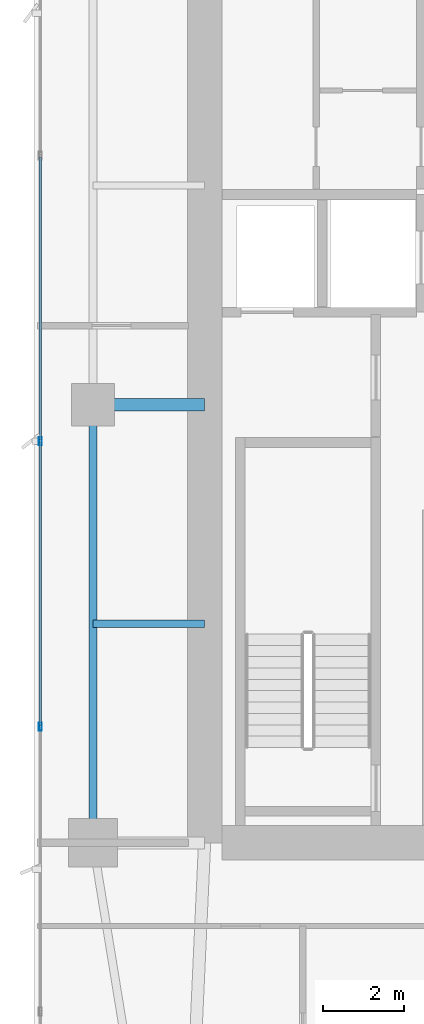
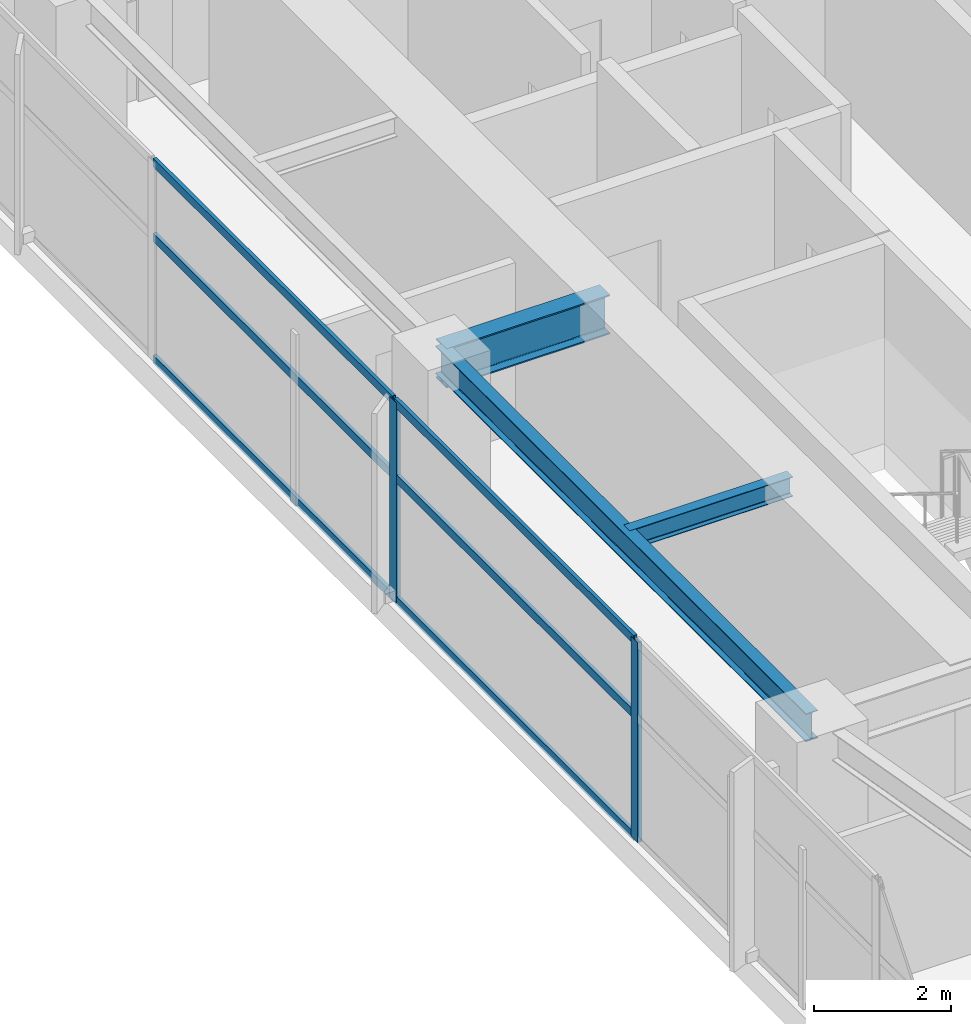
# One storey, part 8 of 28: 8 members, 3 beams, 1 element without a shape of its own.
"""IFC4 building model written with IfcOpenShell, lengths in metres."""

import ifcopenshell
import ifcopenshell.guid

model = None  # the IFC model being written
_history = None  # IfcOwnerHistory: only IFC2X3 demands one
_inside = {}  # id of a spatial element -> (the spatial element, [elements in it])
_under = {}  # id of a project, library or spatial element -> (it, [spatial elements below it])
_declared = {}  # id of a project -> (the project, [libraries it declares])
_typed = {}  # id of a type object -> (the type object, [elements of that type])
_made_of = {}  # id of a material, layer set ... -> (it, [elements and type objects made of it])


def new_model(schema):
    """Start an empty IFC model of exactly this schema.

    Asked for "IFC4X3", IfcOpenShell would pick the latest addendum, in which some entities
    have other attributes; the version numbers below select the first issue.
    IFC2X3 requires an IfcOwnerHistory on every rooted entity: one is made here for all.
    """
    global model, _history
    if schema == "IFC4X3":
        model = ifcopenshell.file(schema_version=(4, 3, 0, 0))
    else:
        model = ifcopenshell.file(schema=schema)
    _inside.clear()
    _under.clear()
    _declared.clear()
    _typed.clear()
    _made_of.clear()
    _history = None
    if model.schema == "IFC2X3":
        org = make("IfcOrganization", Name="unknown")
        user = make(
            "IfcPersonAndOrganization",
            ThePerson=make("IfcPerson", FamilyName="unknown"),
            TheOrganization=org,
        )
        app = make(
            "IfcApplication",
            ApplicationDeveloper=org,
            Version="unknown",
            ApplicationFullName="unknown",
            ApplicationIdentifier="unknown",
        )
        _history = make(
            "IfcOwnerHistory",
            OwningUser=user,
            OwningApplication=app,
            ChangeAction="ADDED",
            CreationDate=0,
        )
    return model


def make(cls, **values):
    """One entity of the class cls with the attributes given. An attribute that is None is left unset."""
    return model.create_entity(
        cls, **{name: value for name, value in values.items() if value is not None}
    )


def rooted(cls, **values):
    """An entity with a GlobalId (a new one), such as an element, a storey or a relation."""
    return make(cls, GlobalId=ifcopenshell.guid.new(), OwnerHistory=_history, **values)


def si_unit(unit_type, name, prefix=None):
    """IfcSIUnit, for example si_unit("LENGTHUNIT", "METRE", prefix="MILLI")."""
    return make("IfcSIUnit", UnitType=unit_type, Prefix=prefix, Name=name)


def assignment(units):
    """IfcUnitAssignment: the units of a project."""
    return None if units is None else make("IfcUnitAssignment", Units=units)


def point(xyz):
    """IfcCartesianPoint."""
    return None if xyz is None else make("IfcCartesianPoint", Coordinates=xyz)


def direction(xyz):
    """IfcDirection."""
    return None if xyz is None else make("IfcDirection", DirectionRatios=xyz)


def frame(location, z_axis=None, x_axis=None):
    """IfcAxis2Placement3D, a coordinate frame: its origin and axes. An axis left out is left unset."""
    return make(
        "IfcAxis2Placement3D",
        Location=point(location),
        Axis=direction(z_axis),
        RefDirection=direction(x_axis),
    )


def frame_2d(location, x_axis=None):
    """IfcAxis2Placement2D, a coordinate frame in the plane: its origin and x axis."""
    return make(
        "IfcAxis2Placement2D", Location=point(location), RefDirection=direction(x_axis)
    )


def origin():
    """The frame at (0, 0, 0) with its axes left unset."""
    return frame((0.0, 0.0, 0.0))


def origin_2d():
    """The frame at (0, 0) in the plane with its x axis left unset."""
    return frame_2d((0.0, 0.0))


def place(relative_to, where):
    """IfcLocalPlacement: puts the frame where relative to a parent placement (None: the world)."""
    return make(
        "IfcLocalPlacement", PlacementRelTo=relative_to, RelativePlacement=where
    )


def context(
    kind, dimensions, precision=None, world=None, true_north=None, identifier=None
):
    """IfcGeometricRepresentationContext, for example the 3D "Model" context."""
    return make(
        "IfcGeometricRepresentationContext",
        ContextIdentifier=identifier,
        ContextType=kind,
        CoordinateSpaceDimension=dimensions,
        Precision=precision,
        WorldCoordinateSystem=world,
        TrueNorth=true_north,
    )


def subcontext(parent, identifier, kind, view, scale=None):
    """IfcGeometricRepresentationSubContext, for example "Body" below "Model"."""
    return make(
        "IfcGeometricRepresentationSubContext",
        ContextIdentifier=identifier,
        ContextType=kind,
        ParentContext=parent,
        TargetScale=scale,
        TargetView=view,
    )


def project(units=None, contexts=None):
    """IfcProject with its units and contexts."""
    return rooted(
        "IfcProject",
        Name="project",
        RepresentationContexts=contexts,
        UnitsInContext=assignment(units),
    )


def spatial(cls, under=None, at=None, **own):
    """A site, building, storey or space (cls), placed at a placement, below another one or the project."""
    s = rooted(cls, ObjectPlacement=at, **own)
    if under is not None:
        _under.setdefault(under.id(), (under, []))[1].append(s)
    return s


def profile(cls, at=None, kind="AREA", **sizes):
    """A parametric profile (cls). Its sizes go by their IFC names, for example OverallWidth=200.0."""
    return make(cls, ProfileType=kind, Position=at, **sizes)


def hollow_rectangle(**sizes):
    """IfcRectangleHollowProfileDef."""
    return profile("IfcRectangleHollowProfileDef", **sizes)


def i_section(**sizes):
    """IfcIShapeProfileDef."""
    return profile("IfcIShapeProfileDef", **sizes)


def extrude(swept, where, along, depth):
    """IfcExtrudedAreaSolid: the profile swept, set in the frame where, extruded along a direction by depth."""
    return make(
        "IfcExtrudedAreaSolid",
        SweptArea=swept,
        Position=where,
        ExtrudedDirection=direction(along),
        Depth=depth,
    )


def shape(context_of_items, identifier, shape_type, items):
    """IfcShapeRepresentation: the items that make up one representation, for example the "Body"."""
    return make(
        "IfcShapeRepresentation",
        ContextOfItems=context_of_items,
        RepresentationIdentifier=identifier,
        RepresentationType=shape_type,
        Items=items,
    )


def material(Name=None, Category=None):
    """IfcMaterial."""
    return make("IfcMaterial", Name=Name, Category=Category)


def layer(
    of_material, thickness, ventilated=None, Name=None, Category=None, Priority=None
):
    """IfcMaterialLayer: one layer of a wall or slab, of a material (None: an air gap)."""
    return make(
        "IfcMaterialLayer",
        Material=of_material,
        LayerThickness=thickness,
        IsVentilated=ventilated,
        Name=Name,
        Category=Category,
        Priority=Priority,
    )


def layer_set(layers, Name=None):
    """IfcMaterialLayerSet."""
    return make("IfcMaterialLayerSet", MaterialLayers=layers, LayerSetName=Name)


def material_profile(
    of_material, cross_section, Name=None, Category=None, Priority=None
):
    """IfcMaterialProfile: a cross section and its material."""
    return make(
        "IfcMaterialProfile",
        Name=Name,
        Material=of_material,
        Profile=cross_section,
        Priority=Priority,
        Category=Category,
    )


def profile_set(profiles, Name=None, composite=None):
    """IfcMaterialProfileSet."""
    return make(
        "IfcMaterialProfileSet",
        Name=Name,
        MaterialProfiles=profiles,
        CompositeProfile=composite,
    )


def made_of(thing, what):
    """Note that an element or type object is made of a material, layer set ...; save() writes the relation."""
    if what is not None:
        _made_of.setdefault(what.id(), (what, []))[1].append(thing)
    return thing


def type_object(cls, material=None, **own):
    """A type object (cls), such as IfcWallType, which elements share."""
    return made_of(rooted(cls, **own), material)


def element(
    cls,
    number,
    at=None,
    inside=None,
    cuts=None,
    type_object=None,
    material=None,
    context=None,
    identifier="Body",
    shape_type=None,
    held_by="IfcProductDefinitionShape",
    body=None,
    shapes=None,
    **own,
):
    """One element of the class cls, such as IfcWall. Its Tag is "e" and its number.

    at: its placement. inside: the storey or other place that contains it. cuts: it is an
    opening in that element (IfcRelVoidsElement). A single representation is given by context,
    identifier, shape_type and body (its items); several are given by shapes. held_by: the class
    of the entity that holds the representations. save() writes the other relations.
    """
    e = rooted(cls, Tag="e%d" % number, ObjectPlacement=at, **own)
    if body is not None:
        shapes = [shape(context, identifier, shape_type, body)]
    if shapes is not None:
        e.Representation = make(held_by, Representations=shapes)
    if inside is not None:
        _inside.setdefault(inside.id(), (inside, []))[1].append(e)
    if cuts is not None:
        rooted(
            "IfcRelVoidsElement", RelatingBuildingElement=cuts, RelatedOpeningElement=e
        )
    if type_object is not None:
        _typed.setdefault(type_object.id(), (type_object, []))[1].append(e)
    return made_of(e, material)


def aggregate(whole, parts):
    """IfcRelAggregates: a whole, such as a stair, and the parts it consists of."""
    return rooted("IfcRelAggregates", RelatingObject=whole, RelatedObjects=parts)


def save(model, path):
    """Write the relations noted so far, then the file.

    IfcRelAggregates (storeys below a building ...), IfcRelContainedInSpatialStructure (elements
    in a storey), IfcRelDefinesByType, IfcRelAssociatesMaterial and IfcRelDeclares: one each for
    every whole, place, type object, material and project.
    """
    for whole, parts in _under.values():
        aggregate(whole, parts)
    for where, things in _inside.values():
        rooted(
            "IfcRelContainedInSpatialStructure",
            RelatedElements=things,
            RelatingStructure=where,
        )
    for kind, things in _typed.values():
        rooted("IfcRelDefinesByType", RelatedObjects=things, RelatingType=kind)
    for what, things in _made_of.values():
        rooted("IfcRelAssociatesMaterial", RelatedObjects=things, RelatingMaterial=what)
    for by, libraries in _declared.values():
        rooted("IfcRelDeclares", RelatingContext=by, RelatedDefinitions=libraries)
    model.write(path)


model = new_model("IFC4")

# Units and contexts
model_context = context("Model", 3, precision=1e-05, world=origin(), true_north=direction((0.0, 1.0)))
body_context = subcontext(model_context, "Body", "Model", "MODEL_VIEW")
ifc_project = project(units=[si_unit("LENGTHUNIT", "METRE"), si_unit("AREAUNIT", "SQUARE_METRE"), si_unit("VOLUMEUNIT", "CUBIC_METRE"), si_unit("PLANEANGLEUNIT", "RADIAN"), si_unit("MASSUNIT", "GRAM", prefix="KILO")], contexts=[model_context])

# Site, building, storey
site_placement = place(None, origin())
site = spatial("IfcSite", under=ifc_project, at=site_placement, CompositionType="ELEMENT")
building_placement = place(site_placement, origin())
building = spatial("IfcBuilding", under=site, at=building_placement, Name="Calvorn Quay Hotel", CompositionType="ELEMENT")
storey_placement = place(building_placement, frame((0.0, 0.0, 97.39990234375)))
storey = spatial("IfcBuildingStorey", under=building, at=storey_placement, Name="L23", CompositionType="ELEMENT", Elevation=97.39990234375)

# Beams
ifc_material_1 = material(Name="Steel Q390GJC", Category="steel")
ifc_material_profile_1 = material_profile(ifc_material_1, i_section(OverallWidth=0.300048828125, OverallDepth=0.699951171875, WebThickness=0.012939453125, FlangeThickness=0.02392578125, FilletRadius=0.02392578125, at=origin_2d()), Name="HN700x300x13x24")
ifc_profile_set_1 = profile_set([ifc_material_profile_1], Name="Steel Q390GJC")
beam_type_1 = type_object("IfcBeamType", Name="BM-GIRD-MAIN", PredefinedType="BEAM", material=ifc_profile_set_1)
beam_1_placement = place(storey_placement, frame((1.449951171875, 27.60009765625, 3.190185546875), z_axis=(1.0, 0.0, 0.0), x_axis=(0.0, 1.0, 0.0)))
element("IfcBeam", 1, at=beam_1_placement, inside=storey, type_object=beam_type_1, Name="Beam BG-L23-W2", PredefinedType="BEAM", context=body_context, shape_type="SweptSolid", body=[
    extrude(i_section(OverallWidth=0.300048828125, OverallDepth=0.699951171875, WebThickness=0.012939453125, FlangeThickness=0.02392578125, FilletRadius=0.02392578125, at=origin_2d()), origin(), (0.0, 0.0, 1.0), 2.75),
])
ifc_material_2 = material(Name="Steel Q355B", Category="steel")
ifc_material_profile_2 = material_profile(ifc_material_2, i_section(OverallWidth=0.175048828125, OverallDepth=0.35009765625, WebThickness=0.007080078125, FlangeThickness=0.010986328125, FilletRadius=0.013916015625, at=origin_2d()), Name="HN350x175x7x11")
ifc_profile_set_2 = profile_set([ifc_material_profile_2], Name="Steel Q355B")
beam_type_2 = type_object("IfcBeamType", Name="BM-JOIST-SEC", PredefinedType="JOIST", material=ifc_profile_set_2)
beam_2_placement = place(storey_placement, frame((1.449951171875, 22.199951171875, 3.364990234375), z_axis=(1.0, 0.0, 0.0), x_axis=(0.0, 1.0, 0.0)))
element("IfcBeam", 2, at=beam_2_placement, inside=storey, type_object=beam_type_2, Name="Beam BJ-L23-W3", PredefinedType="JOIST", context=body_context, shape_type="SweptSolid", body=[
    extrude(i_section(OverallWidth=0.175048828125, OverallDepth=0.35009765625, WebThickness=0.007080078125, FlangeThickness=0.010986328125, FilletRadius=0.013916015625, at=origin_2d()), origin(), (0.0, 0.0, 1.0), 2.75),
])
ifc_material_3 = material(Name="Steel Q355B", Category="steel")
ifc_material_profile_3 = material_profile(ifc_material_3, i_section(OverallWidth=0.199951171875, OverallDepth=0.5, WebThickness=0.010009765625, FlangeThickness=0.01611328125, FilletRadius=0.01611328125, at=origin_2d()), Name="HN500x200x10x16")
ifc_profile_set_3 = profile_set([ifc_material_profile_3], Name="Steel Q355B")
beam_type_3 = type_object("IfcBeamType", Name="BM-SPANDREL-Z1", PredefinedType="SPANDREL", material=ifc_profile_set_3)
beam_3_placement = place(storey_placement, frame((1.449951171875, 16.800048828125, 3.2900390625), z_axis=(0.0, 1.0, 0.0), x_axis=(-1.0, 0.0, 0.0)))
element("IfcBeam", 3, at=beam_3_placement, inside=storey, type_object=beam_type_3, Name="Beam BSP-L23-W2", PredefinedType="SPANDREL", context=body_context, shape_type="SweptSolid", body=[
    extrude(i_section(OverallWidth=0.199951171875, OverallDepth=0.5, WebThickness=0.010009765625, FlangeThickness=0.01611328125, FilletRadius=0.01611328125, at=origin_2d()), origin(), (0.0, 0.0, 1.0), 10.800048828125),
])

# Curtain wall, members
ifc_material_4 = material(Name="Pale Anodised Aluminium and Low-E Glass", Category="aluminium")
ifc_layer = layer(ifc_material_4, 0.219970703125)
ifc_layer_set = layer_set([ifc_layer], Name="CW-SYS-Z2")
curtain_wall_type = type_object("IfcCurtainWallType", Name="CW-SYS-Z2", PredefinedType="NOTDEFINED", material=ifc_layer_set)
curtain_wall_placement = place(storey_placement, origin())
curtain_wall = element("IfcCurtainWall", 4, at=curtain_wall_placement, inside=storey, type_object=curtain_wall_type, Name="Tower West Curtain Wall (L23)", PredefinedType="NOTDEFINED")
ifc_material_5 = material(Name="Pale Anodised Aluminium 6063-T6", Category="aluminium")
ifc_material_profile_4 = material_profile(ifc_material_5, hollow_rectangle(XDim=0.070068359375, YDim=0.199951171875, WallThickness=0.00390625, at=origin_2d()), Name="ALU-M200x70x4")
ifc_profile_set_4 = profile_set([ifc_material_profile_4], Name="Pale Anodised Aluminium 6063-T6")
member_type_1 = type_object("IfcMemberType", Name="CW-SYS-Z2-MUL", PredefinedType="MULLION", material=ifc_profile_set_4)
member_1_placement = place(storey_placement, frame((0.14990234375, 19.666748046875, 0.0), z_axis=(0.0, 0.0, 1.0), x_axis=(-1.0, 0.0, 0.0)))
member_1 = element("IfcMember", 5, at=member_1_placement, type_object=member_type_1, Name="CW-L23-W mullion 3", PredefinedType="MULLION", context=body_context, shape_type="SweptSolid", body=[
    extrude(hollow_rectangle(XDim=0.070068359375, YDim=0.199951171875, WallThickness=0.00390625, at=origin_2d()), origin(), (0.0, 0.0, 1.0), 3.56005859375),
])
member_2_placement = place(storey_placement, frame((0.14990234375, 26.699951171875, 0.0), z_axis=(0.0, 0.0, 1.0), x_axis=(-1.0, 0.0, 0.0)))
member_2 = element("IfcMember", 6, at=member_2_placement, type_object=member_type_1, Name="CW-L23-W mullion 4", PredefinedType="MULLION", context=body_context, shape_type="SweptSolid", body=[
    extrude(hollow_rectangle(XDim=0.070068359375, YDim=0.199951171875, WallThickness=0.00390625, at=origin_2d()), origin(), (0.0, 0.0, 1.0), 3.56005859375),
])
ifc_material_6 = material(Name="Pale Anodised Aluminium 6063-T6", Category="aluminium")
ifc_material_profile_5 = material_profile(ifc_material_6, hollow_rectangle(XDim=0.06005859375, YDim=0.14990234375, WallThickness=0.00341796875, at=origin_2d()), Name="ALU-T150x60x3.5")
ifc_profile_set_5 = profile_set([ifc_material_profile_5], Name="Pale Anodised Aluminium 6063-T6")
member_type_2 = type_object("IfcMemberType", Name="CW-SYS-Z2-TRN", PredefinedType="USERDEFINED", material=ifc_profile_set_5)
member_3_placement = place(storey_placement, frame((0.14990234375, 19.69677734375, 0.030029296875), z_axis=(0.0, 1.0, 0.0), x_axis=(-1.0, 0.0, 0.0)))
member_3 = element("IfcMember", 7, at=member_3_placement, type_object=member_type_2, Name="CW-L23-W transom 3.1", ObjectType="TRANSOM", PredefinedType="USERDEFINED", context=body_context, shape_type="SweptSolid", body=[
    extrude(hollow_rectangle(XDim=0.06005859375, YDim=0.14990234375, WallThickness=0.00341796875, at=origin_2d()), origin(), (0.0, 0.0, 1.0), 6.97314453125),
])
member_4_placement = place(storey_placement, frame((0.14990234375, 19.69677734375, 2.2001953125), z_axis=(0.0, 1.0, 0.0), x_axis=(-1.0, 0.0, 0.0)))
member_4 = element("IfcMember", 8, at=member_4_placement, type_object=member_type_2, Name="CW-L23-W transom 3.2", ObjectType="TRANSOM", PredefinedType="USERDEFINED", context=body_context, shape_type="SweptSolid", body=[
    extrude(hollow_rectangle(XDim=0.06005859375, YDim=0.14990234375, WallThickness=0.00341796875, at=origin_2d()), origin(), (0.0, 0.0, 1.0), 6.97314453125),
])
member_5_placement = place(storey_placement, frame((0.14990234375, 19.69677734375, 3.530029296875), z_axis=(0.0, 1.0, 0.0), x_axis=(-1.0, 0.0, 0.0)))
member_5 = element("IfcMember", 9, at=member_5_placement, type_object=member_type_2, Name="CW-L23-W transom 3.3", ObjectType="TRANSOM", PredefinedType="USERDEFINED", context=body_context, shape_type="SweptSolid", body=[
    extrude(hollow_rectangle(XDim=0.06005859375, YDim=0.14990234375, WallThickness=0.00341796875, at=origin_2d()), origin(), (0.0, 0.0, 1.0), 6.97314453125),
])
member_6_placement = place(storey_placement, frame((0.14990234375, 26.72998046875, 0.030029296875), z_axis=(0.0, 1.0, 0.0), x_axis=(-1.0, 0.0, 0.0)))
member_6 = element("IfcMember", 10, at=member_6_placement, type_object=member_type_2, Name="CW-L23-W transom 4.1", ObjectType="TRANSOM", PredefinedType="USERDEFINED", context=body_context, shape_type="SweptSolid", body=[
    extrude(hollow_rectangle(XDim=0.06005859375, YDim=0.14990234375, WallThickness=0.00341796875, at=origin_2d()), origin(), (0.0, 0.0, 1.0), 6.973388671875),
])
member_7_placement = place(storey_placement, frame((0.14990234375, 26.72998046875, 2.2001953125), z_axis=(0.0, 1.0, 0.0), x_axis=(-1.0, 0.0, 0.0)))
member_7 = element("IfcMember", 11, at=member_7_placement, type_object=member_type_2, Name="CW-L23-W transom 4.2", ObjectType="TRANSOM", PredefinedType="USERDEFINED", context=body_context, shape_type="SweptSolid", body=[
    extrude(hollow_rectangle(XDim=0.06005859375, YDim=0.14990234375, WallThickness=0.00341796875, at=origin_2d()), origin(), (0.0, 0.0, 1.0), 6.973388671875),
])
member_8_placement = place(storey_placement, frame((0.14990234375, 26.72998046875, 3.530029296875), z_axis=(0.0, 1.0, 0.0), x_axis=(-1.0, 0.0, 0.0)))
member_8 = element("IfcMember", 12, at=member_8_placement, type_object=member_type_2, Name="CW-L23-W transom 4.3", ObjectType="TRANSOM", PredefinedType="USERDEFINED", context=body_context, shape_type="SweptSolid", body=[
    extrude(hollow_rectangle(XDim=0.06005859375, YDim=0.14990234375, WallThickness=0.00341796875, at=origin_2d()), origin(), (0.0, 0.0, 1.0), 6.973388671875),
])
aggregate(curtain_wall, [member_1, member_2, member_3, member_4, member_5, member_6, member_7, member_8])

save(model, "model.ifc")
